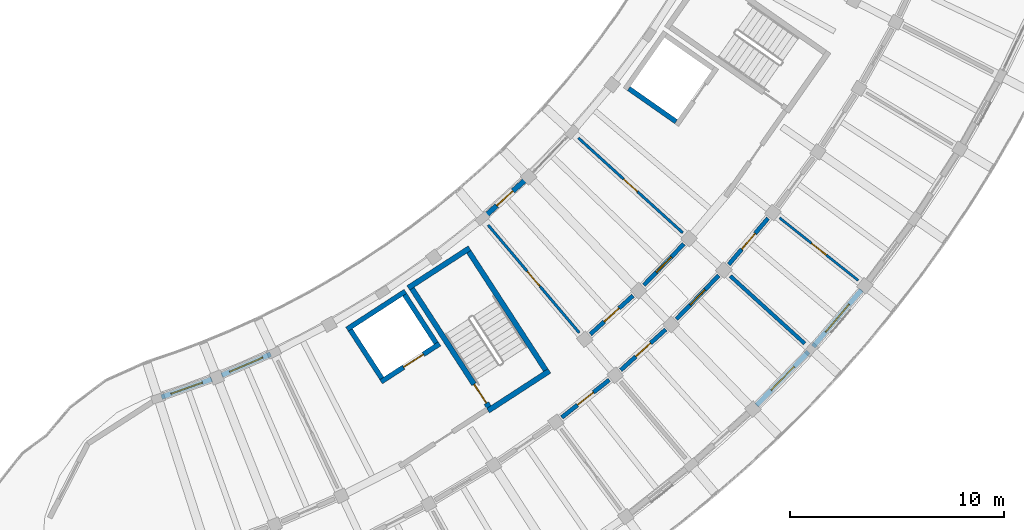
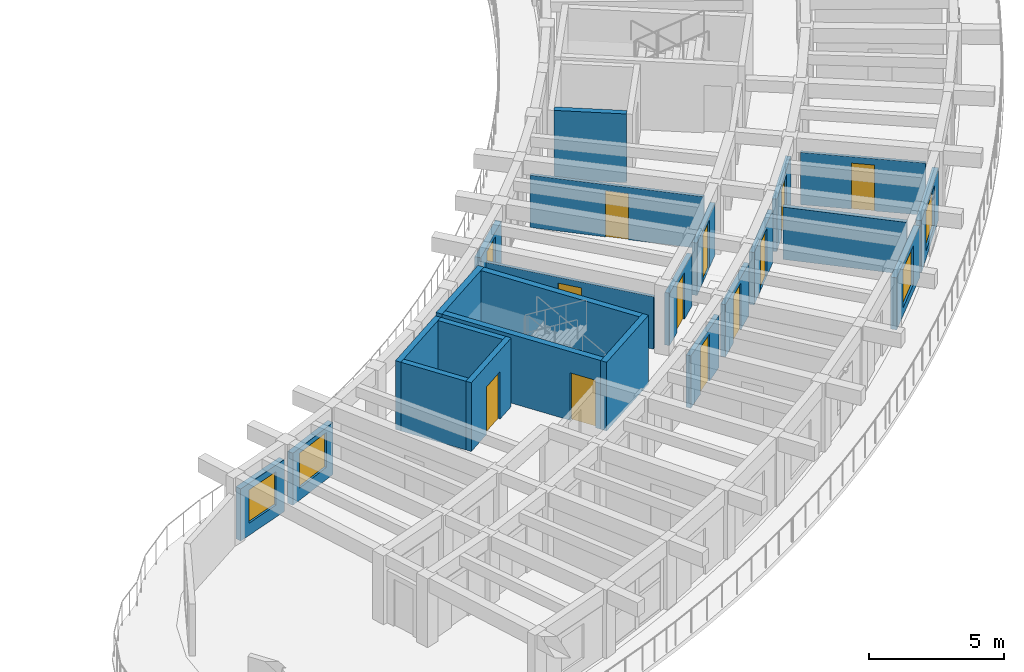
# One storey, part 53 of 81: 24 walls, 12 doors, 4 windows, 16 openings.
"""IFC4 building model written with IfcOpenShell, lengths in metres."""

from ifc_helpers import new_model, si_unit, direction, frame, frame_2d, origin, place, context, subcontext, project, spatial, rectangle, extrude, material, layer, layer_set, type_object, element, fill, save


model = new_model("IFC4")

# Units and contexts
model_context = context("Model", 3, precision=1e-05, world=origin(), true_north=direction((0.0, 1.0)))
body_context = subcontext(model_context, "Body", "Model", "MODEL_VIEW")
ifc_project = project(units=[si_unit("LENGTHUNIT", "METRE"), si_unit("AREAUNIT", "SQUARE_METRE"), si_unit("VOLUMEUNIT", "CUBIC_METRE"), si_unit("PLANEANGLEUNIT", "RADIAN"), si_unit("MASSUNIT", "GRAM", prefix="KILO")], contexts=[model_context])

# Site, building, storey
site_placement = place(None, origin())
site = spatial("IfcSite", under=ifc_project, at=site_placement, CompositionType="ELEMENT")
building_placement = place(site_placement, origin())
building = spatial("IfcBuilding", under=site, at=building_placement, Name="Tanwirah Colonnade Gardens", CompositionType="ELEMENT")
storey_placement = place(building_placement, frame((0.0, 0.0, 18.919921875)))
storey = spatial("IfcBuildingStorey", under=building, at=storey_placement, Name="L05", CompositionType="ELEMENT", Elevation=18.919921875)

# Wall, opening, window
ifc_material_1 = material(Name="Limestone architectural precast concrete C40/50", Category="masonry")
ifc_layer_1 = layer(ifc_material_1, 0.239990234375)
ifc_layer_set_1 = layer_set([ifc_layer_1], Name="Limestone architectural precast concrete C40/50")
wall_type_1 = type_object("IfcWallType", Name="EW-PC240", PredefinedType="SOLIDWALL", material=ifc_layer_set_1)
wall_1_placement = place(storey_placement, frame((134.701904296875, 22.2197265625, 0.0), z_axis=(0.0, 0.0, 1.0), x_axis=(0.941892135469, 0.33591547321, 0.0)))
wall_1 = element("IfcWall", 1, at=wall_1_placement, inside=storey, type_object=wall_type_1, Name="Block D L05 IN Precast Facade Wall 1", PredefinedType="SOLIDWALL", context=body_context, shape_type="SweptSolid", body=[
    extrude(rectangle(XDim=2.498779296875, YDim=0.239990234375, at=frame_2d((1.24951171875, 0.0))), origin(), (0.0, 0.0, 1.0), 2.35498046875),
])
opening_1_placement = place(wall_1_placement, frame((0.469482421875, 0.0, 0.550048828125)))
opening_1 = element("IfcOpeningElement", 2, at=opening_1_placement, cuts=wall_1, Name="Opening WIN-U11", PredefinedType="OPENING", context=body_context, shape_type="SweptSolid", body=[
    extrude(rectangle(XDim=1.56005859375, YDim=1.510009765625, at=frame_2d((0.780029296875, 0.7548828125))), frame((0.0, 0.1298828125, 0.0), z_axis=(0.0, -1.0, 0.0), x_axis=(1.0, 0.0, 0.0)), (0.0, 0.0, 1.0), 0.260009765625),
])
ifc_material_2 = material(Name="Thermally broken bronze aluminium and solar low-E double glazing", Category="aluminium")
window_type_1 = type_object("IfcWindowType", Name="WIN-U11", PartitioningType="DOUBLE_PANEL_VERTICAL", PredefinedType="WINDOW", material=ifc_material_2)
window_1_placement = place(opening_1_placement, origin())
window_1 = element("IfcWindow", 3, at=window_1_placement, inside=storey, type_object=window_type_1, Name="Facade window D-L05-IN-01", OverallHeight=1.510009765625, OverallWidth=1.56005859375, PartitioningType="SINGLE_PANEL", PredefinedType="WINDOW", context=body_context, shape_type="SweptSolid", body=[
    extrude(rectangle(XDim=1.56005859375, YDim=1.510009765625, at=frame_2d((0.780029296875, 0.7548828125))), frame((0.0, 0.030029296875, 0.0), z_axis=(0.0, -1.0, 0.0), x_axis=(1.0, 0.0, 0.0)), (0.0, 0.0, 1.0), 0.06005859375),
])
fill(opening_1, window_1)

wall_2_placement = place(storey_placement, frame((137.5205078125, 23.2421875, 0.0), z_axis=(0.0, 0.0, 1.0), x_axis=(0.91795321239, 0.396688668686, 0.0)))
wall_2 = element("IfcWall", 4, at=wall_2_placement, inside=storey, type_object=wall_type_1, Name="Block D L05 IN Precast Facade Wall 2", PredefinedType="SOLIDWALL", context=body_context, shape_type="SweptSolid", body=[
    extrude(rectangle(XDim=2.498779296875, YDim=0.239990234375, at=frame_2d((1.24951171875, 0.0))), origin(), (0.0, 0.0, 1.0), 2.35498046875),
])
opening_2_placement = place(wall_2_placement, frame((0.409423828125, 0.0, 0.550048828125)))
opening_2 = element("IfcOpeningElement", 5, at=opening_2_placement, cuts=wall_2, Name="Opening WIN-U14", PredefinedType="OPENING", context=body_context, shape_type="SweptSolid", body=[
    extrude(rectangle(XDim=1.679931640625, YDim=1.5849609375, at=frame_2d((0.83984375, 0.79248046875))), frame((0.0, 0.1298828125, 0.0), z_axis=(0.0, -1.0, 0.0), x_axis=(1.0, 0.0, 0.0)), (0.0, 0.0, 1.0), 0.260009765625),
])
window_type_2 = type_object("IfcWindowType", Name="WIN-U14", PartitioningType="DOUBLE_PANEL_VERTICAL", PredefinedType="WINDOW", material=ifc_material_2)
window_2_placement = place(opening_2_placement, origin())
window_2 = element("IfcWindow", 6, at=window_2_placement, inside=storey, type_object=window_type_2, Name="Facade window D-L05-IN-02", OverallHeight=1.5849609375, OverallWidth=1.679931640625, PartitioningType="SINGLE_PANEL", PredefinedType="WINDOW", context=body_context, shape_type="SweptSolid", body=[
    extrude(rectangle(XDim=1.679931640625, YDim=1.5849609375, at=frame_2d((0.83984375, 0.79248046875))), frame((0.0, 0.030029296875, 0.0), z_axis=(0.0, -1.0, 0.0), x_axis=(1.0, 0.0, 0.0)), (0.0, 0.0, 1.0), 0.06005859375),
])
fill(opening_2, window_2)

# Wall, opening, door
wall_3_placement = place(storey_placement, frame((149.8388671875, 30.681640625, 0.0), z_axis=(0.0, 0.0, 1.0), x_axis=(0.741683903342, 0.670749571393, 0.0)))
wall_3 = element("IfcWall", 7, at=wall_3_placement, inside=storey, type_object=wall_type_1, Name="Block D L05 IN Precast Facade Wall 7", PredefinedType="SOLIDWALL", context=body_context, shape_type="SweptSolid", body=[
    extrude(rectangle(XDim=2.498779296875, YDim=0.239990234375, at=frame_2d((1.24951171875, 0.0))), origin(), (0.0, 0.0, 1.0), 2.35498046875),
])
opening_3_placement = place(wall_3_placement, frame((0.739501953125, 0.0, 0.0)))
opening_3 = element("IfcOpeningElement", 8, at=opening_3_placement, cuts=wall_3, Name="Opening L05-ED200", PredefinedType="OPENING", context=body_context, shape_type="SweptSolid", body=[
    extrude(rectangle(XDim=1.02001953125, YDim=2.139892578125, at=frame_2d((0.510009765625, 1.06982421875))), frame((0.0, 0.1298828125, 0.0), z_axis=(0.0, -1.0, 0.0), x_axis=(1.0, 0.0, 0.0)), (0.0, 0.0, 1.0), 0.260009765625),
])
ifc_material_3 = material(Name="Bronze aluminium glazed balcony door", Category="aluminium")
door_type_1 = type_object("IfcDoorType", Name="ED-BAL102", OperationType="NOTDEFINED", PredefinedType="DOOR", material=ifc_material_3)
door_1_placement = place(opening_3_placement, origin())
door_1 = element("IfcDoor", 9, at=door_1_placement, inside=storey, type_object=door_type_1, Name="Balcony glazed door L05-ED200", OperationType="SINGLE_SWING_LEFT", OverallHeight=2.139892578125, OverallWidth=1.02001953125, PredefinedType="DOOR", context=body_context, shape_type="SweptSolid", body=[
    extrude(rectangle(XDim=1.02001953125, YDim=2.139892578125, at=frame_2d((0.510009765625, 1.06982421875))), frame((0.0, 0.02490234375, 0.0), z_axis=(0.0, -1.0, 0.0), x_axis=(1.0, 0.0, 0.0)), (0.0, 0.0, 1.0), 0.050048828125),
])
fill(opening_3, door_1)

# Wall, opening, window
wall_4_placement = place(storey_placement, frame((162.541015625, 21.8427734375, 0.0), z_axis=(0.0, 0.0, 1.0), x_axis=(0.696205978342, 0.717842068788, 0.0)))
wall_4 = element("IfcWall", 10, at=wall_4_placement, inside=storey, type_object=wall_type_1, Name="Block D L05 OUT Precast Facade Wall 8", PredefinedType="SOLIDWALL", context=body_context, shape_type="SweptSolid", body=[
    extrude(rectangle(XDim=3.48681640625, YDim=0.239990234375, at=frame_2d((1.743408203125, 0.0))), origin(), (0.0, 0.0, 1.0), 2.35498046875),
])
opening_4_placement = place(wall_4_placement, frame((0.968505859375, 0.0, 0.35009765625)))
opening_4 = element("IfcOpeningElement", 11, at=opening_4_placement, cuts=wall_4, Name="Opening WIN-T09", PredefinedType="OPENING", context=body_context, shape_type="SweptSolid", body=[
    extrude(rectangle(XDim=1.550048828125, YDim=1.75, at=frame_2d((0.77490234375, 0.875))), frame((0.0, 0.1298828125, 0.0), z_axis=(0.0, -1.0, 0.0), x_axis=(1.0, 0.0, 0.0)), (0.0, 0.0, 1.0), 0.260009765625),
])
window_type_3 = type_object("IfcWindowType", Name="WIN-T09", PartitioningType="DOUBLE_PANEL_VERTICAL", PredefinedType="WINDOW", material=ifc_material_2)
window_3_placement = place(opening_4_placement, origin())
window_3 = element("IfcWindow", 12, at=window_3_placement, inside=storey, type_object=window_type_3, Name="Facade window D-L05-OUT-08", OverallHeight=1.75, OverallWidth=1.550048828125, PartitioningType="SINGLE_PANEL", PredefinedType="WINDOW", context=body_context, shape_type="SweptSolid", body=[
    extrude(rectangle(XDim=1.550048828125, YDim=1.75, at=frame_2d((0.77490234375, 0.875))), frame((0.0, 0.030029296875, 0.0), z_axis=(0.0, -1.0, 0.0), x_axis=(1.0, 0.0, 0.0)), (0.0, 0.0, 1.0), 0.06005859375),
])
fill(opening_4, window_3)

wall_5_placement = place(storey_placement, frame((165.18359375, 24.58251953125, 0.0), z_axis=(0.0, 0.0, 1.0), x_axis=(0.647811002696, 0.761801092665, 0.0)))
wall_5 = element("IfcWall", 13, at=wall_5_placement, inside=storey, type_object=wall_type_1, Name="Block D L05 OUT Precast Facade Wall 9", PredefinedType="SOLIDWALL", context=body_context, shape_type="SweptSolid", body=[
    extrude(rectangle(XDim=3.48681640625, YDim=0.239990234375, at=frame_2d((1.743408203125, 0.0))), origin(), (0.0, 0.0, 1.0), 2.35498046875),
])
opening_5_placement = place(wall_5_placement, frame((0.893310546875, 0.0, 0.35009765625)))
opening_5 = element("IfcOpeningElement", 14, at=opening_5_placement, cuts=wall_5, Name="Opening WIN-T12", PredefinedType="OPENING", context=body_context, shape_type="SweptSolid", body=[
    extrude(rectangle(XDim=1.699951171875, YDim=1.800048828125, at=frame_2d((0.85009765625, 0.89990234375))), frame((0.0, 0.1298828125, 0.0), z_axis=(0.0, -1.0, 0.0), x_axis=(1.0, 0.0, 0.0)), (0.0, 0.0, 1.0), 0.260009765625),
])
window_type_4 = type_object("IfcWindowType", Name="WIN-T12", PartitioningType="TRIPLE_PANEL_VERTICAL", PredefinedType="WINDOW", material=ifc_material_2)
window_4_placement = place(opening_5_placement, origin())
window_4 = element("IfcWindow", 15, at=window_4_placement, inside=storey, type_object=window_type_4, Name="Facade window D-L05-OUT-09", OverallHeight=1.800048828125, OverallWidth=1.699951171875, PartitioningType="SINGLE_PANEL", PredefinedType="WINDOW", context=body_context, shape_type="SweptSolid", body=[
    extrude(rectangle(XDim=1.699951171875, YDim=1.800048828125, at=frame_2d((0.85009765625, 0.89990234375))), frame((0.0, 0.030029296875, 0.0), z_axis=(0.0, -1.0, 0.0), x_axis=(1.0, 0.0, 0.0)), (0.0, 0.0, 1.0), 0.06005859375),
])
fill(opening_5, window_4)

# Wall, opening, door
ifc_material_4 = material(Name="Precast concrete C40/50", Category="concrete")
ifc_layer_2 = layer(ifc_material_4, 0.195068359375)
ifc_layer_set_2 = layer_set([ifc_layer_2], Name="Precast concrete C40/50")
wall_type_2 = type_object("IfcWallType", Name="IW-CORR195", PredefinedType="PARTITIONING", material=ifc_layer_set_2)
wall_6_placement = place(storey_placement, frame((153.424560546875, 21.268798828125, 0.0), z_axis=(0.0, 0.0, 1.0), x_axis=(0.783965548427, 0.620804332201, 0.0)))
wall_6 = element("IfcWall", 16, at=wall_6_placement, inside=storey, type_object=wall_type_2, Name="Block D L05 OUT Corridor Wall 6", PredefinedType="PARTITIONING", context=body_context, shape_type="SweptSolid", body=[
    extrude(rectangle(XDim=2.8369140625, YDim=0.195068359375, at=frame_2d((1.41845703125, 0.0))), origin(), (0.0, 0.0, 1.0), 2.3701171875),
])
opening_6_placement = place(wall_6_placement, frame((0.943603515625, 0.0, 0.0)))
opening_6 = element("IfcOpeningElement", 17, at=opening_6_placement, cuts=wall_6, Name="Opening L05-AD1848", PredefinedType="OPENING", context=body_context, shape_type="SweptSolid", body=[
    extrude(rectangle(XDim=0.949951171875, YDim=2.1298828125, at=frame_2d((0.47509765625, 1.06494140625))), frame((0.0, 0.107421875, 0.0), z_axis=(0.0, -1.0, 0.0), x_axis=(1.0, 0.0, 0.0)), (0.0, 0.0, 1.0), 0.215087890625),
])
ifc_material_5 = material(Name="Solid oak fire-resisting apartment entrance door")
door_type_2 = type_object("IfcDoorType", Name="ID-FLT095", OperationType="NOTDEFINED", PredefinedType="DOOR", material=ifc_material_5)
door_2_placement = place(opening_6_placement, origin())
door_2 = element("IfcDoor", 18, at=door_2_placement, inside=storey, type_object=door_type_2, Name="Apartment corridor door L05-AD1848", OperationType="SINGLE_SWING_RIGHT", OverallHeight=2.1298828125, OverallWidth=0.949951171875, PredefinedType="DOOR", context=body_context, shape_type="SweptSolid", body=[
    extrude(rectangle(XDim=0.949951171875, YDim=2.1298828125, at=frame_2d((0.47509765625, 1.06494140625))), frame((0.0, 0.02490234375, 0.0), z_axis=(0.0, -1.0, 0.0), x_axis=(1.0, 0.0, 0.0)), (0.0, 0.0, 1.0), 0.050048828125),
])
fill(opening_6, door_2)

wall_7_placement = place(storey_placement, frame((156.1826171875, 23.48193359375, 0.0), z_axis=(0.0, 0.0, 1.0), x_axis=(0.741631592147, 0.670807410163, 0.0)))
wall_7 = element("IfcWall", 19, at=wall_7_placement, inside=storey, type_object=wall_type_2, Name="Block D L05 OUT Corridor Wall 7", PredefinedType="PARTITIONING", context=body_context, shape_type="SweptSolid", body=[
    extrude(rectangle(XDim=2.8369140625, YDim=0.195068359375, at=frame_2d((1.41845703125, 0.0))), origin(), (0.0, 0.0, 1.0), 2.3701171875),
])
opening_7_placement = place(wall_7_placement, frame((0.95361328125, 0.0, 0.0)))
opening_7 = element("IfcOpeningElement", 20, at=opening_7_placement, cuts=wall_7, Name="Opening L05-AD1850", PredefinedType="OPENING", context=body_context, shape_type="SweptSolid", body=[
    extrude(rectangle(XDim=0.929931640625, YDim=2.1201171875, at=frame_2d((0.46484375, 1.06005859375))), frame((0.0, 0.107421875, 0.0), z_axis=(0.0, -1.0, 0.0), x_axis=(1.0, 0.0, 0.0)), (0.0, 0.0, 1.0), 0.215087890625),
])
door_type_3 = type_object("IfcDoorType", Name="ID-FLT093", OperationType="NOTDEFINED", PredefinedType="DOOR", material=ifc_material_5)
door_3_placement = place(opening_7_placement, origin())
door_3 = element("IfcDoor", 21, at=door_3_placement, inside=storey, type_object=door_type_3, Name="Apartment corridor door L05-AD1850", OperationType="SINGLE_SWING_LEFT", OverallHeight=2.1201171875, OverallWidth=0.929931640625, PredefinedType="DOOR", context=body_context, shape_type="SweptSolid", body=[
    extrude(rectangle(XDim=0.929931640625, YDim=2.1201171875, at=frame_2d((0.46484375, 1.06005859375))), frame((0.0, 0.02490234375, 0.0), z_axis=(0.0, -1.0, 0.0), x_axis=(1.0, 0.0, 0.0)), (0.0, 0.0, 1.0), 0.050048828125),
])
fill(opening_7, door_3)

wall_8_placement = place(storey_placement, frame((154.76123046875, 25.1611328125, 0.0), z_axis=(0.0, 0.0, 1.0), x_axis=(0.74166462946, 0.670770882945, 0.0)))
wall_8 = element("IfcWall", 22, at=wall_8_placement, inside=storey, type_object=wall_type_2, Name="Block D L05 IN Corridor Wall 7", PredefinedType="PARTITIONING", context=body_context, shape_type="SweptSolid", body=[
    extrude(rectangle(XDim=2.693115234375, YDim=0.195068359375, at=frame_2d((1.3466796875, 0.0))), origin(), (0.0, 0.0, 1.0), 2.3701171875),
])
opening_8_placement = place(wall_8_placement, frame((0.881591796875, 0.0, 0.0)))
opening_8 = element("IfcOpeningElement", 23, at=opening_8_placement, cuts=wall_8, Name="Opening L05-AD1851", PredefinedType="OPENING", context=body_context, shape_type="SweptSolid", body=[
    extrude(rectangle(XDim=0.929931640625, YDim=2.1201171875, at=frame_2d((0.46484375, 1.06005859375))), frame((0.0, 0.107421875, 0.0), z_axis=(0.0, -1.0, 0.0), x_axis=(1.0, 0.0, 0.0)), (0.0, 0.0, 1.0), 0.215087890625),
])
door_4_placement = place(opening_8_placement, origin())
door_4 = element("IfcDoor", 24, at=door_4_placement, inside=storey, type_object=door_type_3, Name="Apartment corridor door L05-AD1851", OperationType="SINGLE_SWING_RIGHT", OverallHeight=2.1201171875, OverallWidth=0.929931640625, PredefinedType="DOOR", context=body_context, shape_type="SweptSolid", body=[
    extrude(rectangle(XDim=0.929931640625, YDim=2.1201171875, at=frame_2d((0.46484375, 1.06005859375))), frame((0.0, 0.02490234375, 0.0), z_axis=(0.0, -1.0, 0.0), x_axis=(1.0, 0.0, 0.0)), (0.0, 0.0, 1.0), 0.050048828125),
])
fill(opening_8, door_4)

wall_9_placement = place(storey_placement, frame((158.7900390625, 25.870849609375, 0.0), z_axis=(0.0, 0.0, 1.0), x_axis=(0.696223786753, 0.717824796701, 0.0)))
wall_9 = element("IfcWall", 25, at=wall_9_placement, inside=storey, type_object=wall_type_2, Name="Block D L05 OUT Corridor Wall 8", PredefinedType="PARTITIONING", context=body_context, shape_type="SweptSolid", body=[
    extrude(rectangle(XDim=2.8369140625, YDim=0.195068359375, at=frame_2d((1.41845703125, 0.0))), origin(), (0.0, 0.0, 1.0), 2.3701171875),
])
opening_9_placement = place(wall_9_placement, frame((0.923583984375, 0.0, 0.0)))
opening_9 = element("IfcOpeningElement", 26, at=opening_9_placement, cuts=wall_9, Name="Opening L05-AD1852", PredefinedType="OPENING", context=body_context, shape_type="SweptSolid", body=[
    extrude(rectangle(XDim=0.989990234375, YDim=2.159912109375, at=frame_2d((0.4951171875, 1.080078125))), frame((0.0, 0.107421875, 0.0), z_axis=(0.0, -1.0, 0.0), x_axis=(1.0, 0.0, 0.0)), (0.0, 0.0, 1.0), 0.215087890625),
])
door_type_4 = type_object("IfcDoorType", Name="ID-FLT099", OperationType="NOTDEFINED", PredefinedType="DOOR", material=ifc_material_5)
door_5_placement = place(opening_9_placement, origin())
door_5 = element("IfcDoor", 27, at=door_5_placement, inside=storey, type_object=door_type_4, Name="Apartment corridor door L05-AD1852", OperationType="SINGLE_SWING_RIGHT", OverallHeight=2.159912109375, OverallWidth=0.989990234375, PredefinedType="DOOR", context=body_context, shape_type="SweptSolid", body=[
    extrude(rectangle(XDim=0.989990234375, YDim=2.159912109375, at=frame_2d((0.4951171875, 1.080078125))), frame((0.0, 0.02490234375, 0.0), z_axis=(0.0, -1.0, 0.0), x_axis=(1.0, 0.0, 0.0)), (0.0, 0.0, 1.0), 0.050048828125),
])
fill(opening_9, door_5)

wall_10_placement = place(storey_placement, frame((157.26171875, 27.453369140625, 0.0), z_axis=(0.0, 0.0, 1.0), x_axis=(0.696236443412, 0.717812520694, 0.0)))
wall_10 = element("IfcWall", 28, at=wall_10_placement, inside=storey, type_object=wall_type_2, Name="Block D L05 IN Corridor Wall 8", PredefinedType="PARTITIONING", context=body_context, shape_type="SweptSolid", body=[
    extrude(rectangle(XDim=2.693115234375, YDim=0.195068359375, at=frame_2d((1.3466796875, 0.0))), origin(), (0.0, 0.0, 1.0), 2.3701171875),
])
opening_10_placement = place(wall_10_placement, frame((0.8515625, 0.0, 0.0)))
opening_10 = element("IfcOpeningElement", 29, at=opening_10_placement, cuts=wall_10, Name="Opening L05-AD1853", PredefinedType="OPENING", context=body_context, shape_type="SweptSolid", body=[
    extrude(rectangle(XDim=0.989990234375, YDim=2.159912109375, at=frame_2d((0.4951171875, 1.080078125))), frame((0.0, 0.107421875, 0.0), z_axis=(0.0, -1.0, 0.0), x_axis=(1.0, 0.0, 0.0)), (0.0, 0.0, 1.0), 0.215087890625),
])
door_6_placement = place(opening_10_placement, origin())
door_6 = element("IfcDoor", 30, at=door_6_placement, inside=storey, type_object=door_type_4, Name="Apartment corridor door L05-AD1853", OperationType="SINGLE_SWING_LEFT", OverallHeight=2.159912109375, OverallWidth=0.989990234375, PredefinedType="DOOR", context=body_context, shape_type="SweptSolid", body=[
    extrude(rectangle(XDim=0.989990234375, YDim=2.159912109375, at=frame_2d((0.4951171875, 1.080078125))), frame((0.0, 0.02490234375, 0.0), z_axis=(0.0, -1.0, 0.0), x_axis=(1.0, 0.0, 0.0)), (0.0, 0.0, 1.0), 0.050048828125),
])
fill(opening_10, door_6)

wall_11_placement = place(storey_placement, frame((161.235595703125, 28.42529296875, 0.0), z_axis=(0.0, 0.0, 1.0), x_axis=(0.64778830669, 0.761820392032, 0.0)))
wall_11 = element("IfcWall", 31, at=wall_11_placement, inside=storey, type_object=wall_type_2, Name="Block D L05 OUT Corridor Wall 9", PredefinedType="PARTITIONING", context=body_context, shape_type="SweptSolid", body=[
    extrude(rectangle(XDim=2.8369140625, YDim=0.195068359375, at=frame_2d((1.41845703125, 0.0))), origin(), (0.0, 0.0, 1.0), 2.3701171875),
])
opening_11_placement = place(wall_11_placement, frame((0.93359375, 0.0, 0.0)))
opening_11 = element("IfcOpeningElement", 32, at=opening_11_placement, cuts=wall_11, Name="Opening L05-AD1855", PredefinedType="OPENING", context=body_context, shape_type="SweptSolid", body=[
    extrude(rectangle(XDim=0.969970703125, YDim=2.14990234375, at=frame_2d((0.48486328125, 1.074951171875))), frame((0.0, 0.107421875, 0.0), z_axis=(0.0, -1.0, 0.0), x_axis=(1.0, 0.0, 0.0)), (0.0, 0.0, 1.0), 0.215087890625),
])
door_type_5 = type_object("IfcDoorType", Name="ID-FLT097", OperationType="NOTDEFINED", PredefinedType="DOOR", material=ifc_material_5)
door_7_placement = place(opening_11_placement, origin())
door_7 = element("IfcDoor", 33, at=door_7_placement, inside=storey, type_object=door_type_5, Name="Apartment corridor door L05-AD1855", OperationType="SINGLE_SWING_LEFT", OverallHeight=2.14990234375, OverallWidth=0.969970703125, PredefinedType="DOOR", context=body_context, shape_type="SweptSolid", body=[
    extrude(rectangle(XDim=0.969970703125, YDim=2.14990234375, at=frame_2d((0.48486328125, 1.074951171875))), frame((0.0, 0.02490234375, 0.0), z_axis=(0.0, -1.0, 0.0), x_axis=(1.0, 0.0, 0.0)), (0.0, 0.0, 1.0), 0.050048828125),
])
fill(opening_11, door_7)

# Wall
ifc_layer_3 = layer(ifc_material_4, 0.175048828125)
ifc_layer_set_3 = layer_set([ifc_layer_3], Name="Precast concrete C40/50")
wall_type_3 = type_object("IfcWallType", Name="IW-DEM175", PredefinedType="PARTITIONING", material=ifc_layer_set_3)
wall_12_placement = place(storey_placement, frame((161.304931640625, 27.8896484375, 0.0), z_axis=(0.0, 0.0, 1.0), x_axis=(0.740212663782, -0.672372822456, 0.0)))
element("IfcWall", 34, at=wall_12_placement, inside=storey, type_object=wall_type_3, Name="Block D L05 Radial Partition 8", PredefinedType="PARTITIONING", context=body_context, shape_type="SweptSolid", body=[
    extrude(rectangle(XDim=4.699951171875, YDim=0.175048828125, at=frame_2d((2.35009765625, 0.0))), origin(), (0.0, 0.0, 1.0), 2.3701171875),
])

# Wall, opening, door
ifc_material_6 = material(Name="Acoustic gypsum stud partition")
ifc_layer_4 = layer(ifc_material_6, 0.114990234375)
ifc_layer_set_4 = layer_set([ifc_layer_4], Name="Acoustic gypsum stud partition")
wall_type_4 = type_object("IfcWallType", Name="IW-INT115", PredefinedType="PARTITIONING", material=ifc_layer_set_4)
wall_13_placement = place(storey_placement, frame((163.613037109375, 30.60400390625, 0.0), z_axis=(0.0, 0.0, 1.0), x_axis=(0.782609106384, -0.622513442911, 0.0)))
wall_13 = element("IfcWall", 35, at=wall_13_placement, inside=storey, type_object=wall_type_4, Name="Block D L05 Radial Partition 9", PredefinedType="PARTITIONING", context=body_context, shape_type="SweptSolid", body=[
    extrude(rectangle(XDim=4.699951171875, YDim=0.114990234375, at=frame_2d((2.35009765625, 0.0))), origin(), (0.0, 0.0, 1.0), 2.3701171875),
])
opening_12_placement = place(wall_13_placement, frame((1.9150390625, 0.0, 0.0)))
opening_12 = element("IfcOpeningElement", 36, at=opening_12_placement, cuts=wall_13, Name="Opening L05-RD1856", PredefinedType="OPENING", context=body_context, shape_type="SweptSolid", body=[
    extrude(rectangle(XDim=0.8701171875, YDim=2.080078125, at=frame_2d((0.43505859375, 1.0400390625))), frame((0.0, 0.0673828125, 0.0), z_axis=(0.0, -1.0, 0.0), x_axis=(1.0, 0.0, 0.0)), (0.0, 0.0, 1.0), 0.135009765625),
])
ifc_material_7 = material(Name="Painted hardwood study door", Category="wood")
door_type_6 = type_object("IfcDoorType", Name="ID-RM087", OperationType="NOTDEFINED", PredefinedType="DOOR", material=ifc_material_7)
door_8_placement = place(opening_12_placement, origin())
door_8 = element("IfcDoor", 37, at=door_8_placement, inside=storey, type_object=door_type_6, Name="Internal apartment door L05-RD1856", OperationType="SINGLE_SWING_LEFT", OverallHeight=2.080078125, OverallWidth=0.8701171875, PredefinedType="DOOR", context=body_context, shape_type="SweptSolid", body=[
    extrude(rectangle(XDim=0.8701171875, YDim=2.080078125, at=frame_2d((0.43505859375, 1.0400390625))), frame((0.0, 0.02490234375, 0.0), z_axis=(0.0, -1.0, 0.0), x_axis=(1.0, 0.0, 0.0)), (0.0, 0.0, 1.0), 0.050048828125),
])
fill(opening_12, door_8)

ifc_material_8 = material(Name="Moisture-resistant gypsum stud partition")
ifc_layer_5 = layer(ifc_material_8, 0.125)
ifc_layer_set_5 = layer_set([ifc_layer_5], Name="Moisture-resistant gypsum stud partition")
wall_type_5 = type_object("IfcWallType", Name="IW-INT125", PredefinedType="PARTITIONING", material=ifc_layer_set_5)
wall_14_placement = place(storey_placement, frame((149.978759765625, 30.26904296875, 0.0), z_axis=(0.0, 0.0, 1.0), x_axis=(0.646121311019, -0.763234728932, 0.0)))
wall_14 = element("IfcWall", 38, at=wall_14_placement, inside=storey, type_object=wall_type_5, Name="Block D L05 Inner Radial Partition 6", PredefinedType="PARTITIONING", context=body_context, shape_type="SweptSolid", body=[
    extrude(rectangle(XDim=6.60009765625, YDim=0.125, at=frame_2d((3.300048828125, 0.0))), origin(), (0.0, 0.0, 1.0), 2.3701171875),
])
opening_13_placement = place(wall_14_placement, frame((2.844970703125, 0.0, 0.0)))
opening_13 = element("IfcOpeningElement", 39, at=opening_13_placement, cuts=wall_14, Name="Opening L05-RD1849", PredefinedType="OPENING", context=body_context, shape_type="SweptSolid", body=[
    extrude(rectangle(XDim=0.909912109375, YDim=2.10009765625, at=frame_2d((0.455078125, 1.050048828125))), frame((0.0, 0.072509765625, 0.0), z_axis=(0.0, -1.0, 0.0), x_axis=(1.0, 0.0, 0.0)), (0.0, 0.0, 1.0), 0.14501953125),
])
ifc_material_9 = material(Name="Painted hardwood internal room door", Category="wood")
door_type_7 = type_object("IfcDoorType", Name="ID-RM091", OperationType="NOTDEFINED", PredefinedType="DOOR", material=ifc_material_9)
door_9_placement = place(opening_13_placement, origin())
door_9 = element("IfcDoor", 40, at=door_9_placement, inside=storey, type_object=door_type_7, Name="Internal apartment door L05-RD1849", OperationType="SINGLE_SWING_LEFT", OverallHeight=2.10009765625, OverallWidth=0.909912109375, PredefinedType="DOOR", context=body_context, shape_type="SweptSolid", body=[
    extrude(rectangle(XDim=0.909912109375, YDim=2.10009765625, at=frame_2d((0.455078125, 1.050048828125))), frame((0.0, 0.02490234375, 0.0), z_axis=(0.0, -1.0, 0.0), x_axis=(1.0, 0.0, 0.0)), (0.0, 0.0, 1.0), 0.050048828125),
])
fill(opening_13, door_9)

wall_15_placement = place(storey_placement, frame((154.19873046875, 34.34423828125, 0.0), z_axis=(0.0, 0.0, 1.0), x_axis=(0.74023124711, -0.672352363573, 0.0)))
wall_15 = element("IfcWall", 41, at=wall_15_placement, inside=storey, type_object=wall_type_5, Name="Block D L05 Inner Radial Partition 8", PredefinedType="PARTITIONING", context=body_context, shape_type="SweptSolid", body=[
    extrude(rectangle(XDim=6.599853515625, YDim=0.125, at=frame_2d((3.2998046875, 0.0))), origin(), (0.0, 0.0, 1.0), 2.3701171875),
])
opening_14_placement = place(wall_15_placement, frame((2.864990234375, 0.0, 0.0)))
opening_14 = element("IfcOpeningElement", 42, at=opening_14_placement, cuts=wall_15, Name="Opening L05-RD1854", PredefinedType="OPENING", context=body_context, shape_type="SweptSolid", body=[
    extrude(rectangle(XDim=0.8701171875, YDim=2.080078125, at=frame_2d((0.43505859375, 1.0400390625))), frame((0.0, 0.072509765625, 0.0), z_axis=(0.0, -1.0, 0.0), x_axis=(1.0, 0.0, 0.0)), (0.0, 0.0, 1.0), 0.14501953125),
])
door_10_placement = place(opening_14_placement, origin())
door_10 = element("IfcDoor", 43, at=door_10_placement, inside=storey, type_object=door_type_6, Name="Internal apartment door L05-RD1854", OperationType="SINGLE_SWING_LEFT", OverallHeight=2.080078125, OverallWidth=0.8701171875, PredefinedType="DOOR", context=body_context, shape_type="SweptSolid", body=[
    extrude(rectangle(XDim=0.8701171875, YDim=2.080078125, at=frame_2d((0.43505859375, 1.0400390625))), frame((0.0, 0.02490234375, 0.0), z_axis=(0.0, -1.0, 0.0), x_axis=(1.0, 0.0, 0.0)), (0.0, 0.0, 1.0), 0.050048828125),
])
fill(opening_14, door_10)

# Walls
ifc_material_10 = material(Name="Concrete C45/55", Category="concrete")
ifc_layer_6 = layer(ifc_material_10, 0.25)
ifc_layer_set_6 = layer_set([ifc_layer_6], Name="Concrete C45/55")
wall_type_6 = type_object("IfcWallType", Name="SW-CORE250", PredefinedType="SHEAR", material=ifc_layer_set_6)
wall_16_placement = place(storey_placement, frame((152.674072265625, 23.48388671875, 0.0), z_axis=(0.0, 0.0, 1.0), x_axis=(-0.544655453679, 0.838659905312, 0.0)))
element("IfcWall", 44, at=wall_16_placement, inside=storey, type_object=wall_type_6, Name="CORE-D1 L05 Stair Shaft Shear Wall LEFT", PredefinedType="SHEAR", context=body_context, shape_type="SweptSolid", body=[
    extrude(rectangle(XDim=6.60009765625, YDim=0.25, at=frame_2d((3.300048828125, 0.0))), origin(), (0.0, 0.0, 1.0), 3.110107421875),
])
wall_17_placement = place(storey_placement, frame((149.1162109375, 29.19189453125, 0.0), z_axis=(0.0, 0.0, 1.0), x_axis=(-0.838699580527, -0.544594356953, 0.0)))
element("IfcWall", 45, at=wall_17_placement, inside=storey, type_object=wall_type_6, Name="CORE-D1 L05 Stair Shaft Shear Wall FAR", PredefinedType="SHEAR", context=body_context, shape_type="SweptSolid", body=[
    extrude(rectangle(XDim=3.420166015625, YDim=0.25, at=frame_2d((1.7099609375, 0.0))), origin(), (0.0, 0.0, 1.0), 3.110107421875),
])
wall_18_placement = place(storey_placement, frame((152.846923828125, 23.447021484375, 0.0), z_axis=(0.0, 0.0, 1.0), x_axis=(-0.838645798734, -0.544677174357, 0.0)))
element("IfcWall", 46, at=wall_18_placement, inside=storey, type_object=wall_type_6, Name="CORE-D1 L05 Stair Shaft Shear Wall NEAR", PredefinedType="SHEAR", context=body_context, shape_type="SweptSolid", body=[
    extrude(rectangle(XDim=3.419921875, YDim=0.25, at=frame_2d((1.7099609375, 0.0))), origin(), (0.0, 0.0, 1.0), 3.110107421875),
])

# Wall, opening, door
wall_19_placement = place(storey_placement, frame((150.015380859375, 21.75732421875, 0.0), z_axis=(0.0, 0.0, 1.0), x_axis=(-0.544629435258, 0.838676802022, 0.0)))
wall_19 = element("IfcWall", 47, at=wall_19_placement, inside=storey, type_object=wall_type_6, Name="CORE-D1 L05 Stair Shaft Shear Wall RIGHT", PredefinedType="SHEAR", context=body_context, shape_type="SweptSolid", body=[
    extrude(rectangle(XDim=6.599853515625, YDim=0.25, at=frame_2d((3.2998046875, 0.0))), origin(), (0.0, 0.0, 1.0), 3.110107421875),
])
opening_15_placement = place(wall_19_placement, frame((0.219970703125, 0.0, 0.0)))
opening_15 = element("IfcOpeningElement", 48, at=opening_15_placement, cuts=wall_19, Name="Opening L05-SD175", PredefinedType="OPENING", context=body_context, shape_type="SweptSolid", body=[
    extrude(rectangle(XDim=1.050048828125, YDim=2.14990234375, at=frame_2d((0.52490234375, 1.074951171875))), frame((0.0, 0.135009765625, 0.0), z_axis=(0.0, -1.0, 0.0), x_axis=(1.0, 0.0, 0.0)), (0.0, 0.0, 1.0), 0.27001953125),
])
ifc_material_11 = material(Name="Steel fire-resisting stair enclosure door", Category="steel")
door_type_8 = type_object("IfcDoorType", Name="ID-ST105", OperationType="NOTDEFINED", PredefinedType="DOOR", material=ifc_material_11)
door_11_placement = place(opening_15_placement, origin())
door_11 = element("IfcDoor", 49, at=door_11_placement, inside=storey, type_object=door_type_8, Name="CORE-D1 L05 Stair Fire Door L05-SD175", OperationType="SINGLE_SWING_RIGHT", OverallHeight=2.14990234375, OverallWidth=1.050048828125, PredefinedType="DOOR", context=body_context, shape_type="SweptSolid", body=[
    extrude(rectangle(XDim=1.050048828125, YDim=2.14990234375, at=frame_2d((0.52490234375, 1.074951171875))), frame((0.0, 0.02490234375, 0.0), z_axis=(0.0, -1.0, 0.0), x_axis=(1.0, 0.0, 0.0)), (0.0, 0.0, 1.0), 0.050048828125),
])
fill(opening_15, door_11)

ifc_layer_7 = layer(ifc_material_10, 0.22998046875)
ifc_layer_set_7 = layer_set([ifc_layer_7], Name="Concrete C45/55")
wall_type_7 = type_object("IfcWallType", Name="SW-LIFT230", PredefinedType="SHEAR", material=ifc_layer_set_7)
wall_20_placement = place(storey_placement, frame((147.70849609375, 24.712646484375, 0.0), z_axis=(0.0, 0.0, 1.0), x_axis=(-0.838672833615, -0.544635546173, 0.0)))
wall_20 = element("IfcWall", 50, at=wall_20_placement, inside=storey, type_object=wall_type_7, Name="CORE-D1 L05 Lift Shaft Wall FRONT", PredefinedType="SHEAR", context=body_context, shape_type="SweptSolid", body=[
    extrude(rectangle(XDim=3.259765625, YDim=0.22998046875, at=frame_2d((1.6298828125, 0.0))), origin(), (0.0, 0.0, 1.0), 3.110107421875),
])
opening_16_placement = place(wall_20_placement, frame((0.89990234375, 0.0, 0.0)))
opening_16 = element("IfcOpeningElement", 51, at=opening_16_placement, cuts=wall_20, Name="Opening L05-LD-FL-D1", PredefinedType="OPENING", context=body_context, shape_type="SweptSolid", body=[
    extrude(rectangle(XDim=1.10009765625, YDim=2.14990234375, at=frame_2d((0.550048828125, 1.074951171875))), frame((0.0, 0.125, 0.0), z_axis=(0.0, -1.0, 0.0), x_axis=(1.0, 0.0, 0.0)), (0.0, 0.0, 1.0), 0.25),
])
ifc_material_12 = material(Name="Stainless steel sliding fire lift landing door", Category="steel")
door_type_9 = type_object("IfcDoorType", Name="LD-FF11", OperationType="DOUBLE_DOOR_SLIDING", PredefinedType="DOOR", material=ifc_material_12)
door_12_placement = place(opening_16_placement, origin())
door_12 = element("IfcDoor", 52, at=door_12_placement, inside=storey, type_object=door_type_9, Name="Lift FL-D1 L05 Sliding Landing Door", OperationType="DOUBLE_DOOR_SLIDING", OverallHeight=2.14990234375, OverallWidth=1.10009765625, PredefinedType="DOOR", context=body_context, shape_type="SweptSolid", body=[
    extrude(rectangle(XDim=1.10009765625, YDim=2.14990234375, at=frame_2d((0.550048828125, 1.074951171875))), frame((0.0, 0.02490234375, 0.0), z_axis=(0.0, -1.0, 0.0), x_axis=(1.0, 0.0, 0.0)), (0.0, 0.0, 1.0), 0.050048828125),
])
fill(opening_16, door_12)

# Walls
wall_21_placement = place(storey_placement, frame((146.11279296875, 27.169921875, 0.0), z_axis=(0.0, 0.0, 1.0), x_axis=(-0.838695047431, -0.544601338058, 0.0)))
element("IfcWall", 53, at=wall_21_placement, inside=storey, type_object=wall_type_7, Name="CORE-D1 L05 Lift Shaft Wall BACK", PredefinedType="SHEAR", context=body_context, shape_type="SweptSolid", body=[
    extrude(rectangle(XDim=3.260009765625, YDim=0.22998046875, at=frame_2d((1.6298828125, 0.0))), origin(), (0.0, 0.0, 1.0), 3.110107421875),
])
for number, where, z_axis, x_axis, name in (
    (54, (147.549560546875, 24.74658203125, 0.0), (0.0, 0.0, 1.0), (-0.544622789439, 0.838681117722, 0.0), "CORE-D1 L05 Lift Shaft Wall SIDEA"),
    (55, (145.00830078125, 23.09619140625, 0.0), (0.0, 0.0, 1.0), (-0.544622789439, 0.838681117722, 0.0), "CORE-D1 L05 Lift Shaft Wall SIDEB"),
    (56, (158.770263671875, 35.104736328125, 0.0), (0.0, 0.0, 1.0), (-0.819117209968, 0.573626181702, 0.0), "CORE-D2 L05 Lift Shaft Wall SIDEB"),
):
    element("IfcWall", number, at=place(storey_placement, frame(where, z_axis=z_axis, x_axis=x_axis)), inside=storey, type_object=wall_type_7, Name=name, PredefinedType="SHEAR", context=body_context, shape_type="SweptSolid", body=[
        extrude(rectangle(XDim=2.699951171875, YDim=0.22998046875, at=frame_2d((1.35009765625, 0.0))), origin(), (0.0, 0.0, 1.0), 3.110107421875),
    ])

save(model, "model.ifc")
